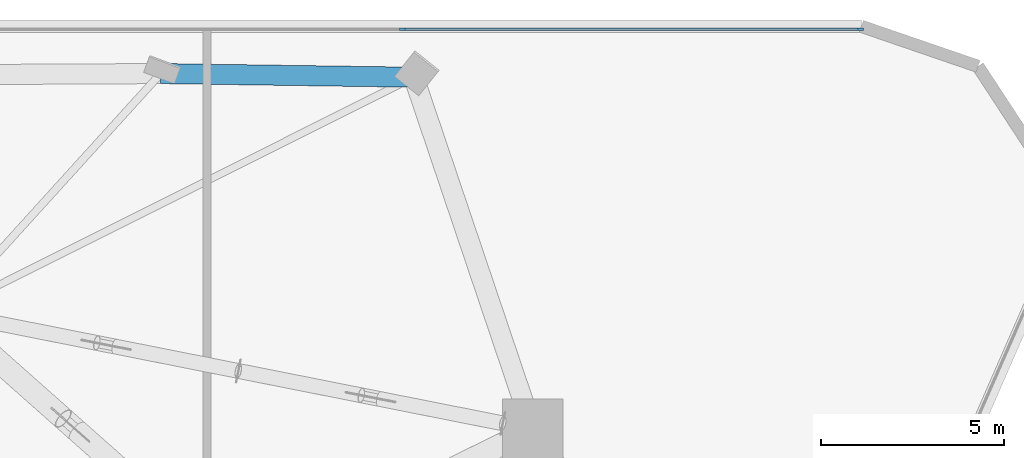
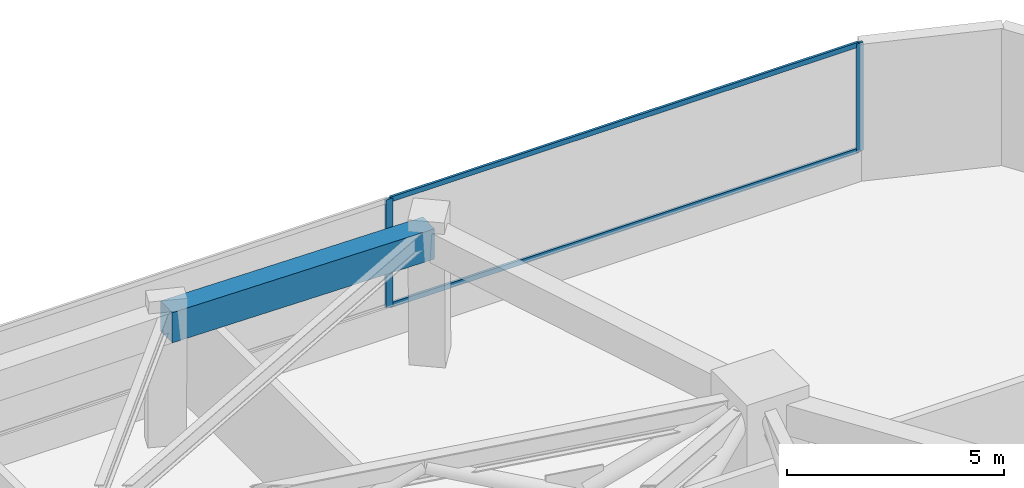
# One storey, part 9 of 15: 4 members, 1 beam, 1 element without a shape of its own.
"""IFC4 building model written with IfcOpenShell, lengths in metres."""

from ifc_helpers import new_model, si_unit, direction, frame, origin, origin_2d, place, context, subcontext, project, spatial, rectangle, extrude, material, layer, layer_set, material_profile, profile_set, type_object, element, aggregate, save


model = new_model("IFC4")

# Units and contexts
model_context = context("Model", 3, precision=1e-05, world=origin(), true_north=direction((0.0, 1.0)))
body_context = subcontext(model_context, "Body", "Model", "MODEL_VIEW")
ifc_project = project(units=[si_unit("LENGTHUNIT", "METRE"), si_unit("AREAUNIT", "SQUARE_METRE"), si_unit("VOLUMEUNIT", "CUBIC_METRE"), si_unit("PLANEANGLEUNIT", "RADIAN"), si_unit("MASSUNIT", "GRAM", prefix="KILO")], contexts=[model_context])

# Site, building, storey
site_placement = place(None, origin())
site = spatial("IfcSite", under=ifc_project, at=site_placement, CompositionType="ELEMENT")
building_placement = place(site_placement, origin())
building = spatial("IfcBuilding", under=site, at=building_placement, Name="Talyreon Biosciences Tower", CompositionType="ELEMENT")
storey_placement = place(building_placement, frame((0.0, 0.0, 118.800048828125)))
storey = spatial("IfcBuildingStorey", under=building, at=storey_placement, Name="L31", CompositionType="ELEMENT", Elevation=118.800048828125)

# Curtain wall, members
ifc_material_1 = material(Name="Thermally broken aluminium and low-E glazing", Category="aluminium")
ifc_layer = layer(ifc_material_1, 0.18994140625)
ifc_layer_set = layer_set([ifc_layer], Name="Thermally broken aluminium and low-E glazing")
curtain_wall_type = type_object("IfcCurtainWallType", Name="CurtainWall_Zone2Genomics", PredefinedType="NOTDEFINED", material=ifc_layer_set)
curtain_wall_placement = place(storey_placement, origin())
curtain_wall = element("IfcCurtainWall", 1, at=curtain_wall_placement, inside=storey, type_object=curtain_wall_type, Name="L31 Unitised Curtain Wall FCW-L31-04", PredefinedType="NOTDEFINED")
ifc_material_2 = material(Name="Anodised thermally broken aluminium", Category="aluminium")
ifc_material_profile_1 = material_profile(ifc_material_2, rectangle(XDim=0.06494140625, YDim=0.179931640625, at=origin_2d()), Name="ALUM MULLION 65x180")
ifc_profile_set_1 = profile_set([ifc_material_profile_1], Name="Anodised thermally broken aluminium")
member_type_1 = type_object("IfcMemberType", Name="CWMullion_65x180", PredefinedType="MULLION", material=ifc_profile_set_1)
member_1_placement = place(storey_placement, frame((78.544189453125, 89.539794921875, 0.81005859375), z_axis=(0.0, 0.0, 1.0), x_axis=(0.0, 1.0, 0.0)))
member_1 = element("IfcMember", 2, at=member_1_placement, type_object=member_type_1, Name="CW3 mullion 4", PredefinedType="MULLION", context=body_context, shape_type="SweptSolid", body=[
    extrude(rectangle(XDim=0.06494140625, YDim=0.179931640625, at=origin_2d()), origin(), (0.0, 0.0, 1.0), 3.039794921875),
])
member_2_placement = place(storey_placement, frame((91.055908203125, 89.539794921875, 0.81005859375), z_axis=(0.0, 0.0, 1.0), x_axis=(0.0, 1.0, 0.0)))
member_2 = element("IfcMember", 3, at=member_2_placement, type_object=member_type_1, Name="CW3 mullion 5", PredefinedType="MULLION", context=body_context, shape_type="SweptSolid", body=[
    extrude(rectangle(XDim=0.06494140625, YDim=0.179931640625, at=origin_2d()), origin(), (0.0, 0.0, 1.0), 3.039794921875),
])
ifc_material_profile_2 = material_profile(ifc_material_2, rectangle(XDim=0.06494140625, YDim=0.139892578125, at=origin_2d()), Name="ALUM TRANSOM 65x140")
ifc_profile_set_2 = profile_set([ifc_material_profile_2], Name="Anodised thermally broken aluminium")
member_type_2 = type_object("IfcMemberType", Name="CWTransom_65x140", PredefinedType="USERDEFINED", material=ifc_profile_set_2)
member_3_placement = place(storey_placement, frame((78.57666015625, 89.539794921875, 0.842529296875), z_axis=(1.0, 0.0, 0.0), x_axis=(0.0, 1.0, 0.0)))
member_3 = element("IfcMember", 4, at=member_3_placement, type_object=member_type_2, Name="CW3 transom 4.1", ObjectType="TRANSOM", PredefinedType="USERDEFINED", context=body_context, shape_type="SweptSolid", body=[
    extrude(rectangle(XDim=0.06494140625, YDim=0.139892578125, at=origin_2d()), origin(), (0.0, 0.0, 1.0), 12.44677734375),
])
member_4_placement = place(storey_placement, frame((78.57666015625, 89.539794921875, 3.8173828125), z_axis=(1.0, 0.0, 0.0), x_axis=(0.0, 1.0, 0.0)))
member_4 = element("IfcMember", 5, at=member_4_placement, type_object=member_type_2, Name="CW3 transom 4.2", ObjectType="TRANSOM", PredefinedType="USERDEFINED", context=body_context, shape_type="SweptSolid", body=[
    extrude(rectangle(XDim=0.06494140625, YDim=0.139892578125, at=origin_2d()), origin(), (0.0, 0.0, 1.0), 12.44677734375),
])
aggregate(curtain_wall, [member_1, member_2, member_3, member_4])

# Beam
ifc_material_3 = material(Name="Precast concrete C45/55", Category="concrete")
ifc_material_profile_3 = material_profile(ifc_material_3, rectangle(XDim=0.550048828125, YDim=0.85009765625, at=origin_2d()), Name="RCB 550x850")
ifc_profile_set_3 = profile_set([ifc_material_profile_3], Name="Precast concrete C45/55")
beam_type = type_object("IfcBeamType", Name="ExpressedSpandrel_550x850", PredefinedType="SPANDREL", material=ifc_profile_set_3)
beam_placement = place(storey_placement, frame((78.85009765625, 88.225341796875, 3.425048828125), z_axis=(-0.999895883766, 0.014429886612, 0.0), x_axis=(-0.014429886612, -0.999895883766, 0.0)))
element("IfcBeam", 6, at=beam_placement, inside=storey, type_object=beam_type, Name="L31 Expressed Horizontal Concrete Spandrel 06", PredefinedType="SPANDREL", context=body_context, shape_type="SweptSolid", body=[
    extrude(rectangle(XDim=0.550048828125, YDim=0.85009765625, at=origin_2d()), origin(), (0.0, 0.0, 1.0), 6.919921875),
])

save(model, "model.ifc")
